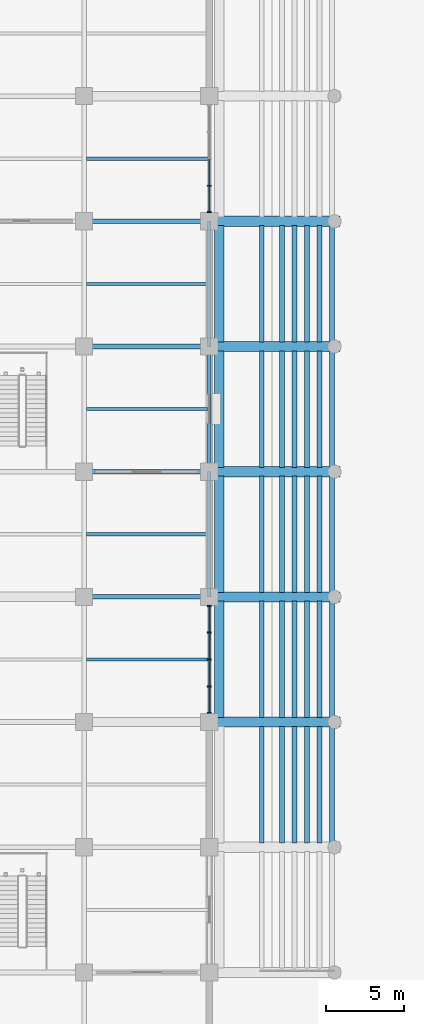
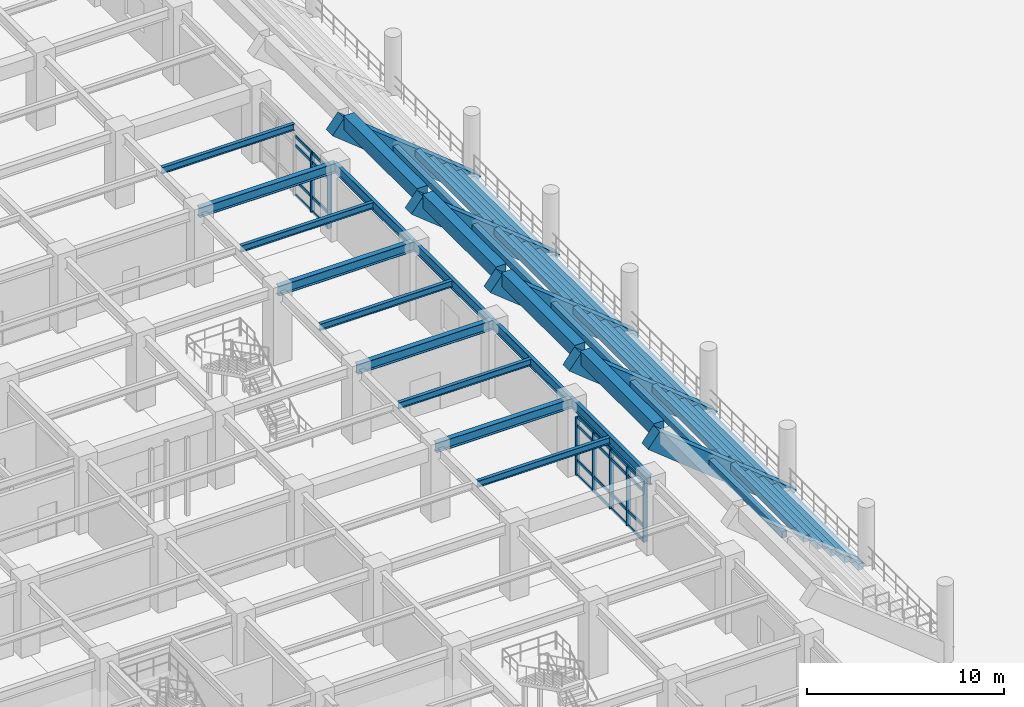
# One storey, part 28 of 125: 52 beams, 31 members, 2 elements without a shape of their own.
"""IFC4 building model written with IfcOpenShell, lengths in metres."""

from ifc_helpers import new_model, si_unit, direction, frame, origin, origin_2d, place, context, subcontext, project, spatial, rectangle, i_section, extrude, material, layer, layer_set, material_profile, profile_set, type_object, element, aggregate, save


model = new_model("IFC4")

# Units and contexts
model_context = context("Model", 3, precision=1e-05, world=origin(), true_north=direction((0.0, 1.0)))
body_context = subcontext(model_context, "Body", "Model", "MODEL_VIEW")
ifc_project = project(units=[si_unit("LENGTHUNIT", "METRE"), si_unit("AREAUNIT", "SQUARE_METRE"), si_unit("VOLUMEUNIT", "CUBIC_METRE"), si_unit("PLANEANGLEUNIT", "RADIAN"), si_unit("MASSUNIT", "GRAM", prefix="KILO")], contexts=[model_context])

# Site, building, storey
site_placement = place(None, origin())
site = spatial("IfcSite", under=ifc_project, at=site_placement, CompositionType="ELEMENT")
building_placement = place(site_placement, origin())
building = spatial("IfcBuilding", under=site, at=building_placement, Name="Haebicheon Civic Stadium", CompositionType="ELEMENT")
storey_placement = place(building_placement, origin())
storey = spatial("IfcBuildingStorey", under=building, at=storey_placement, Name="L01", CompositionType="ELEMENT", Elevation=0.0)

# Beams
ifc_material_1 = material(Name="Precast concrete C40/50", Category="concrete")
ifc_material_profile_1 = material_profile(ifc_material_1, rectangle(XDim=0.300048828125, YDim=0.39990234375, at=origin_2d()), Name="PC-LN-300x400")
ifc_profile_set_1 = profile_set([ifc_material_profile_1], Name="Precast concrete C40/50")
beam_type_1 = type_object("IfcBeamType", Name="BM-LN-300x400", PredefinedType="LINTEL", material=ifc_profile_set_1)
for number, where, z_axis, x_axis, name in (
    (1, (71.840087890625, 56.280029296875, 0.760009765625), (0.0, 1.0, 0.0), (-1.0, 0.0, 0.0), "TIER-W-L precast step carrier beam 2.1"),
    (2, (71.0400390625, 56.280029296875, 1.470947265625), (0.0, 1.0, 0.0), (-1.0, 0.0, 0.0), "TIER-W-L precast step carrier beam 2.2"),
    (3, (70.239990234375, 56.280029296875, 2.181884765625), (0.0, 1.0, 0.0), (-1.0, 0.0, 0.0), "TIER-W-L precast step carrier beam 2.3"),
    (4, (69.43994140625, 56.280029296875, 2.89306640625), (0.0, 1.0, 0.0), (-1.0, 0.0, 0.0), "TIER-W-L precast step carrier beam 2.4"),
    (5, (68.639892578125, 56.280029296875, 3.60400390625), (0.0, 1.0, 0.0), (-1.0, 0.0, 0.0), "TIER-W-L precast step carrier beam 2.5"),
    (6, (67.360107421875, 56.280029296875, 4.31591796875), (0.0, 1.0, 0.0), (-1.0, 0.0, 0.0), "TIER-W-L precast step carrier beam 2.6"),
    (7, (71.840087890625, 64.280029296875, 0.760009765625), (0.0, 1.0, 0.0), (-1.0, 0.0, 0.0), "TIER-W-L precast step carrier beam 3.1"),
    (8, (71.0400390625, 64.280029296875, 1.470947265625), (0.0, 1.0, 0.0), (-1.0, 0.0, 0.0), "TIER-W-L precast step carrier beam 3.2"),
    (9, (70.239990234375, 64.280029296875, 2.181884765625), (0.0, 1.0, 0.0), (-1.0, 0.0, 0.0), "TIER-W-L precast step carrier beam 3.3"),
    (10, (69.43994140625, 64.280029296875, 2.89306640625), (0.0, 1.0, 0.0), (-1.0, 0.0, 0.0), "TIER-W-L precast step carrier beam 3.4"),
    (11, (68.639892578125, 64.280029296875, 3.60400390625), (0.0, 1.0, 0.0), (-1.0, 0.0, 0.0), "TIER-W-L precast step carrier beam 3.5"),
    (12, (67.360107421875, 64.280029296875, 4.31591796875), (0.0, 1.0, 0.0), (-1.0, 0.0, 0.0), "TIER-W-L precast step carrier beam 3.6"),
    (13, (71.840087890625, 72.280029296875, 0.760009765625), (0.0, 1.0, 0.0), (-1.0, 0.0, 0.0), "TIER-W-L precast step carrier beam 4.1"),
    (14, (71.0400390625, 72.280029296875, 1.470947265625), (0.0, 1.0, 0.0), (-1.0, 0.0, 0.0), "TIER-W-L precast step carrier beam 4.2"),
    (15, (70.239990234375, 72.280029296875, 2.181884765625), (0.0, 1.0, 0.0), (-1.0, 0.0, 0.0), "TIER-W-L precast step carrier beam 4.3"),
    (16, (69.43994140625, 72.280029296875, 2.89306640625), (0.0, 1.0, 0.0), (-1.0, 0.0, 0.0), "TIER-W-L precast step carrier beam 4.4"),
    (17, (68.639892578125, 72.280029296875, 3.60400390625), (0.0, 1.0, 0.0), (-1.0, 0.0, 0.0), "TIER-W-L precast step carrier beam 4.5"),
    (18, (67.360107421875, 72.280029296875, 4.31591796875), (0.0, 1.0, 0.0), (-1.0, 0.0, 0.0), "TIER-W-L precast step carrier beam 4.6"),
    (19, (71.840087890625, 80.280029296875, 0.760009765625), (0.0, 1.0, 0.0), (-1.0, 0.0, 0.0), "TIER-W-L precast step carrier beam 5.1"),
    (20, (71.0400390625, 80.280029296875, 1.470947265625), (0.0, 1.0, 0.0), (-1.0, 0.0, 0.0), "TIER-W-L precast step carrier beam 5.2"),
    (21, (70.239990234375, 80.280029296875, 2.181884765625), (0.0, 1.0, 0.0), (-1.0, 0.0, 0.0), "TIER-W-L precast step carrier beam 5.3"),
    (22, (69.43994140625, 80.280029296875, 2.89306640625), (0.0, 1.0, 0.0), (-1.0, 0.0, 0.0), "TIER-W-L precast step carrier beam 5.4"),
    (23, (68.639892578125, 80.280029296875, 3.60400390625), (0.0, 1.0, 0.0), (-1.0, 0.0, 0.0), "TIER-W-L precast step carrier beam 5.5"),
    (24, (67.360107421875, 80.280029296875, 4.31591796875), (0.0, 1.0, 0.0), (-1.0, 0.0, 0.0), "TIER-W-L precast step carrier beam 5.6"),
    (25, (71.840087890625, 88.280029296875, 0.760009765625), (0.0, 1.0, 0.0), (-1.0, 0.0, 0.0), "TIER-W-L precast step carrier beam 6.1"),
    (26, (71.0400390625, 88.280029296875, 1.470947265625), (0.0, 1.0, 0.0), (-1.0, 0.0, 0.0), "TIER-W-L precast step carrier beam 6.2"),
    (27, (70.239990234375, 88.280029296875, 2.181884765625), (0.0, 1.0, 0.0), (-1.0, 0.0, 0.0), "TIER-W-L precast step carrier beam 6.3"),
    (28, (69.43994140625, 88.280029296875, 2.89306640625), (0.0, 1.0, 0.0), (-1.0, 0.0, 0.0), "TIER-W-L precast step carrier beam 6.4"),
    (29, (68.639892578125, 88.280029296875, 3.60400390625), (0.0, 1.0, 0.0), (-1.0, 0.0, 0.0), "TIER-W-L precast step carrier beam 6.5"),
    (30, (67.360107421875, 88.280029296875, 4.31591796875), (0.0, 1.0, 0.0), (-1.0, 0.0, 0.0), "TIER-W-L precast step carrier beam 6.6"),
):
    element("IfcBeam", number, at=place(storey_placement, frame(where, z_axis=z_axis, x_axis=x_axis)), inside=storey, type_object=beam_type_1, material=ifc_profile_set_1, Name=name, PredefinedType="LINTEL", context=body_context, shape_type="SweptSolid", body=[
        extrude(rectangle(XDim=0.300048828125, YDim=0.39990234375, at=origin_2d()), origin(), (0.0, 0.0, 1.0), 7.43994140625),
    ])
ifc_material_2 = material(Name="Steel SM355 (S355)", Category="steel")
ifc_material_profile_2 = material_profile(ifc_material_2, i_section(OverallWidth=0.300048828125, OverallDepth=0.60009765625, WebThickness=0.011962890625, FlangeThickness=0.02001953125, at=origin_2d()), Name="H-600x300x12x20")
ifc_profile_set_2 = profile_set([ifc_material_profile_2], Name="Steel SM355 (S355)")
beam_type_2 = type_object("IfcBeamType", Name="BM-ST-H600A", PredefinedType="BEAM", material=ifc_profile_set_2)
for number, where, z_axis, x_axis, name in (
    (31, (56.0, 72.0, 4.179931640625), (1.0, 0.0, 0.0), (0.0, 1.0, 0.0), "L01 beam K/8-9"),
    (32, (56.0, 80.0, 4.179931640625), (1.0, 0.0, 0.0), (0.0, 1.0, 0.0), "L01 beam L/8-9"),
    (33, (56.0, 88.0, 4.179931640625), (1.0, 0.0, 0.0), (0.0, 1.0, 0.0), "L01 beam M/8-9"),
    (34, (56.0, 96.0, 4.179931640625), (1.0, 0.0, 0.0), (0.0, 1.0, 0.0), "L01 beam N/8-9"),
):
    element("IfcBeam", number, at=place(storey_placement, frame(where, z_axis=z_axis, x_axis=x_axis)), inside=storey, type_object=beam_type_2, material=ifc_profile_set_2, Name=name, PredefinedType="BEAM", context=body_context, shape_type="SweptSolid", body=[
        extrude(i_section(OverallWidth=0.300048828125, OverallDepth=0.60009765625, WebThickness=0.011962890625, FlangeThickness=0.02001953125, at=origin_2d()), origin(), (0.0, 0.0, 1.0), 8.0),
    ])
ifc_material_3 = material(Name="Precast concrete C40/50", Category="concrete")
ifc_material_profile_3 = material_profile(ifc_material_3, rectangle(XDim=0.60009765625, YDim=0.85009765625, at=origin_2d()), Name="PC-TB-600x850")
ifc_profile_set_3 = profile_set([ifc_material_profile_3], Name="Precast concrete C40/50")
beam_type_3 = type_object("IfcBeamType", Name="BM-TB-600x850", PredefinedType="T_BEAM", material=ifc_profile_set_3)
for number, where, z_axis, x_axis, name in (
    (35, (64.639892578125, 64.280029296875, 6.93505859375), (0.0, 1.0, 0.0), (-1.0, 0.0, 0.0), "TIER-W-L upper tier bench carrier beam 3"),
    (36, (64.639892578125, 72.280029296875, 6.93505859375), (0.0, 1.0, 0.0), (-1.0, 0.0, 0.0), "TIER-W-L upper tier bench carrier beam 4"),
    (37, (64.639892578125, 80.280029296875, 6.93505859375), (0.0, 1.0, 0.0), (-1.0, 0.0, 0.0), "TIER-W-L upper tier bench carrier beam 5"),
    (38, (64.639892578125, 88.280029296875, 6.93505859375), (0.0, 1.0, 0.0), (-1.0, 0.0, 0.0), "TIER-W-L upper tier bench carrier beam 6"),
):
    element("IfcBeam", number, at=place(storey_placement, frame(where, z_axis=z_axis, x_axis=x_axis)), inside=storey, type_object=beam_type_3, material=ifc_profile_set_3, Name=name, PredefinedType="T_BEAM", context=body_context, shape_type="SweptSolid", body=[
        extrude(rectangle(XDim=0.60009765625, YDim=0.85009765625, at=origin_2d()), origin(), (0.0, 0.0, 1.0), 7.43994140625),
    ])

# Curtain wall, members
ifc_material_4 = material(Name="Anodised aluminium and laminated glass", Category="aluminium")
ifc_layer = layer(ifc_material_4, 0.179931640625, Name="Anodised aluminium and laminated glass")
ifc_layer_set = layer_set([ifc_layer], Name="Anodised aluminium and laminated glass")
curtain_wall_type = type_object("IfcCurtainWallType", Name="CW-6900x3620", PredefinedType="NOTDEFINED", material=ifc_layer_set)
curtain_wall_1_placement = place(storey_placement, origin())
curtain_wall_1 = element("IfcCurtainWall", 39, at=curtain_wall_1_placement, inside=storey, type_object=curtain_wall_type, material=ifc_layer_set, Name="L01 unitised curtain wall 006", PredefinedType="NOTDEFINED")
ifc_material_5 = material(Name="Anodised aluminium 6063-T6", Category="aluminium")
ifc_material_profile_4 = material_profile(ifc_material_5, rectangle(XDim=0.080078125, YDim=0.239990234375, at=origin_2d()), Name="ALU-MULL-80x240")
ifc_profile_set_4 = profile_set([ifc_material_profile_4], Name="Anodised aluminium 6063-T6")
member_type_1 = type_object("IfcMemberType", Name="CWM-240x80", PredefinedType="MULLION", material=ifc_profile_set_4)
member_1_placement = place(storey_placement, frame((64.0, 64.590087890625, 0.0), z_axis=(0.0, 0.0, 1.0), x_axis=(0.0, 1.0, 0.0)))
member_1 = element("IfcMember", 40, at=member_1_placement, type_object=member_type_1, material=ifc_profile_set_4, Name="CW-L01-006 vertical mullion 1", PredefinedType="MULLION", context=body_context, shape_type="SweptSolid", body=[
    extrude(rectangle(XDim=0.080078125, YDim=0.239990234375, at=origin_2d()), origin(), (0.0, 0.0, 1.0), 3.6201171875),
])
member_2_placement = place(storey_placement, frame((64.0, 66.27490234375, 0.0), z_axis=(0.0, 0.0, 1.0), x_axis=(0.0, 1.0, 0.0)))
member_2 = element("IfcMember", 41, at=member_2_placement, type_object=member_type_1, material=ifc_profile_set_4, Name="CW-L01-006 vertical mullion 2", PredefinedType="MULLION", context=body_context, shape_type="SweptSolid", body=[
    extrude(rectangle(XDim=0.080078125, YDim=0.239990234375, at=origin_2d()), origin(), (0.0, 0.0, 1.0), 3.6201171875),
])
member_3_placement = place(storey_placement, frame((64.0, 68.0, 0.0), z_axis=(0.0, 0.0, 1.0), x_axis=(0.0, 1.0, 0.0)))
member_3 = element("IfcMember", 42, at=member_3_placement, type_object=member_type_1, material=ifc_profile_set_4, Name="CW-L01-006 vertical mullion 3", PredefinedType="MULLION", context=body_context, shape_type="SweptSolid", body=[
    extrude(rectangle(XDim=0.080078125, YDim=0.239990234375, at=origin_2d()), origin(), (0.0, 0.0, 1.0), 3.6201171875),
])
member_4_placement = place(storey_placement, frame((64.0, 69.72509765625, 0.0), z_axis=(0.0, 0.0, 1.0), x_axis=(0.0, 1.0, 0.0)))
member_4 = element("IfcMember", 43, at=member_4_placement, type_object=member_type_1, material=ifc_profile_set_4, Name="CW-L01-006 vertical mullion 4", PredefinedType="MULLION", context=body_context, shape_type="SweptSolid", body=[
    extrude(rectangle(XDim=0.080078125, YDim=0.239990234375, at=origin_2d()), origin(), (0.0, 0.0, 1.0), 3.6201171875),
])
member_5_placement = place(storey_placement, frame((64.0, 71.409912109375, 0.0), z_axis=(0.0, 0.0, 1.0), x_axis=(0.0, 1.0, 0.0)))
member_5 = element("IfcMember", 44, at=member_5_placement, type_object=member_type_1, material=ifc_profile_set_4, Name="CW-L01-006 vertical mullion 5", PredefinedType="MULLION", context=body_context, shape_type="SweptSolid", body=[
    extrude(rectangle(XDim=0.080078125, YDim=0.239990234375, at=origin_2d()), origin(), (0.0, 0.0, 1.0), 3.6201171875),
])

curtain_wall_2_placement = place(storey_placement, origin())
curtain_wall_2 = element("IfcCurtainWall", 45, at=curtain_wall_2_placement, inside=storey, type_object=curtain_wall_type, material=ifc_layer_set, Name="L01 unitised curtain wall 007", PredefinedType="NOTDEFINED")
member_6_placement = place(storey_placement, frame((64.0, 96.590087890625, 0.0), z_axis=(0.0, 0.0, 1.0), x_axis=(0.0, 1.0, 0.0)))
member_6 = element("IfcMember", 46, at=member_6_placement, type_object=member_type_1, material=ifc_profile_set_4, Name="CW-L01-007 vertical mullion 1", PredefinedType="MULLION", context=body_context, shape_type="SweptSolid", body=[
    extrude(rectangle(XDim=0.080078125, YDim=0.239990234375, at=origin_2d()), origin(), (0.0, 0.0, 1.0), 3.6201171875),
])
member_7_placement = place(storey_placement, frame((64.0, 98.27490234375, 0.0), z_axis=(0.0, 0.0, 1.0), x_axis=(0.0, 1.0, 0.0)))
member_7 = element("IfcMember", 47, at=member_7_placement, type_object=member_type_1, material=ifc_profile_set_4, Name="CW-L01-007 vertical mullion 2", PredefinedType="MULLION", context=body_context, shape_type="SweptSolid", body=[
    extrude(rectangle(XDim=0.080078125, YDim=0.239990234375, at=origin_2d()), origin(), (0.0, 0.0, 1.0), 3.6201171875),
])

# Member
ifc_material_6 = material(Name="Anodised aluminium 6063-T6", Category="aluminium")
ifc_material_profile_5 = material_profile(ifc_material_6, rectangle(XDim=0.080078125, YDim=0.179931640625, at=origin_2d()), Name="ALU-TRAN-80x180")
ifc_profile_set_5 = profile_set([ifc_material_profile_5], Name="Anodised aluminium 6063-T6")
member_type_2 = type_object("IfcMemberType", Name="CWT-180x80", PredefinedType="NOTDEFINED", material=ifc_profile_set_5)
member_8_placement = place(storey_placement, frame((64.0, 64.6298828125, 0.0), z_axis=(0.0, 1.0, 0.0), x_axis=(-1.0, 0.0, 0.0)))
member_8 = element("IfcMember", 48, at=member_8_placement, type_object=member_type_2, material=ifc_profile_set_5, Name="CW-L01-006 horizontal transom 1.1", ObjectType="TRANSOM", PredefinedType="USERDEFINED", context=body_context, shape_type="SweptSolid", body=[
    extrude(rectangle(XDim=0.080078125, YDim=0.179931640625, at=origin_2d()), origin(), (0.0, 0.0, 1.0), 1.605224609375),
])

member_9_placement = place(storey_placement, frame((64.0, 64.6298828125, 0.89990234375), z_axis=(0.0, 1.0, 0.0), x_axis=(-1.0, 0.0, 0.0)))
member_9 = element("IfcMember", 49, at=member_9_placement, type_object=member_type_2, material=ifc_profile_set_5, Name="CW-L01-006 horizontal transom 1.2", ObjectType="TRANSOM", PredefinedType="USERDEFINED", context=body_context, shape_type="SweptSolid", body=[
    extrude(rectangle(XDim=0.080078125, YDim=0.179931640625, at=origin_2d()), origin(), (0.0, 0.0, 1.0), 1.605224609375),
])

member_10_placement = place(storey_placement, frame((64.0, 64.6298828125, 3.070068359375), z_axis=(0.0, 1.0, 0.0), x_axis=(-1.0, 0.0, 0.0)))
member_10 = element("IfcMember", 50, at=member_10_placement, type_object=member_type_2, material=ifc_profile_set_5, Name="CW-L01-006 horizontal transom 1.3", ObjectType="TRANSOM", PredefinedType="USERDEFINED", context=body_context, shape_type="SweptSolid", body=[
    extrude(rectangle(XDim=0.080078125, YDim=0.179931640625, at=origin_2d()), origin(), (0.0, 0.0, 1.0), 1.605224609375),
])

member_11_placement = place(storey_placement, frame((64.0, 64.6298828125, 3.6201171875), z_axis=(0.0, 1.0, 0.0), x_axis=(-1.0, 0.0, 0.0)))
member_11 = element("IfcMember", 51, at=member_11_placement, type_object=member_type_2, material=ifc_profile_set_5, Name="CW-L01-006 horizontal transom 1.4", ObjectType="TRANSOM", PredefinedType="USERDEFINED", context=body_context, shape_type="SweptSolid", body=[
    extrude(rectangle(XDim=0.080078125, YDim=0.179931640625, at=origin_2d()), origin(), (0.0, 0.0, 1.0), 1.605224609375),
])

member_12_placement = place(storey_placement, frame((64.0, 66.31494140625, 0.0), z_axis=(0.0, 1.0, 0.0), x_axis=(-1.0, 0.0, 0.0)))
member_12 = element("IfcMember", 52, at=member_12_placement, type_object=member_type_2, material=ifc_profile_set_5, Name="CW-L01-006 horizontal transom 2.1", ObjectType="TRANSOM", PredefinedType="USERDEFINED", context=body_context, shape_type="SweptSolid", body=[
    extrude(rectangle(XDim=0.080078125, YDim=0.179931640625, at=origin_2d()), origin(), (0.0, 0.0, 1.0), 1.64501953125),
])

member_13_placement = place(storey_placement, frame((64.0, 66.31494140625, 0.89990234375), z_axis=(0.0, 1.0, 0.0), x_axis=(-1.0, 0.0, 0.0)))
member_13 = element("IfcMember", 53, at=member_13_placement, type_object=member_type_2, material=ifc_profile_set_5, Name="CW-L01-006 horizontal transom 2.2", ObjectType="TRANSOM", PredefinedType="USERDEFINED", context=body_context, shape_type="SweptSolid", body=[
    extrude(rectangle(XDim=0.080078125, YDim=0.179931640625, at=origin_2d()), origin(), (0.0, 0.0, 1.0), 1.64501953125),
])

member_14_placement = place(storey_placement, frame((64.0, 66.31494140625, 3.070068359375), z_axis=(0.0, 1.0, 0.0), x_axis=(-1.0, 0.0, 0.0)))
member_14 = element("IfcMember", 54, at=member_14_placement, type_object=member_type_2, material=ifc_profile_set_5, Name="CW-L01-006 horizontal transom 2.3", ObjectType="TRANSOM", PredefinedType="USERDEFINED", context=body_context, shape_type="SweptSolid", body=[
    extrude(rectangle(XDim=0.080078125, YDim=0.179931640625, at=origin_2d()), origin(), (0.0, 0.0, 1.0), 1.64501953125),
])

member_15_placement = place(storey_placement, frame((64.0, 66.31494140625, 3.6201171875), z_axis=(0.0, 1.0, 0.0), x_axis=(-1.0, 0.0, 0.0)))
member_15 = element("IfcMember", 55, at=member_15_placement, type_object=member_type_2, material=ifc_profile_set_5, Name="CW-L01-006 horizontal transom 2.4", ObjectType="TRANSOM", PredefinedType="USERDEFINED", context=body_context, shape_type="SweptSolid", body=[
    extrude(rectangle(XDim=0.080078125, YDim=0.179931640625, at=origin_2d()), origin(), (0.0, 0.0, 1.0), 1.64501953125),
])

member_16_placement = place(storey_placement, frame((64.0, 68.0400390625, 0.0), z_axis=(0.0, 1.0, 0.0), x_axis=(-1.0, 0.0, 0.0)))
member_16 = element("IfcMember", 56, at=member_16_placement, type_object=member_type_2, material=ifc_profile_set_5, Name="CW-L01-006 horizontal transom 3.1", ObjectType="TRANSOM", PredefinedType="USERDEFINED", context=body_context, shape_type="SweptSolid", body=[
    extrude(rectangle(XDim=0.080078125, YDim=0.179931640625, at=origin_2d()), origin(), (0.0, 0.0, 1.0), 1.64501953125),
])

member_17_placement = place(storey_placement, frame((64.0, 68.0400390625, 0.89990234375), z_axis=(0.0, 1.0, 0.0), x_axis=(-1.0, 0.0, 0.0)))
member_17 = element("IfcMember", 57, at=member_17_placement, type_object=member_type_2, material=ifc_profile_set_5, Name="CW-L01-006 horizontal transom 3.2", ObjectType="TRANSOM", PredefinedType="USERDEFINED", context=body_context, shape_type="SweptSolid", body=[
    extrude(rectangle(XDim=0.080078125, YDim=0.179931640625, at=origin_2d()), origin(), (0.0, 0.0, 1.0), 1.64501953125),
])

member_18_placement = place(storey_placement, frame((64.0, 68.0400390625, 3.070068359375), z_axis=(0.0, 1.0, 0.0), x_axis=(-1.0, 0.0, 0.0)))
member_18 = element("IfcMember", 58, at=member_18_placement, type_object=member_type_2, material=ifc_profile_set_5, Name="CW-L01-006 horizontal transom 3.3", ObjectType="TRANSOM", PredefinedType="USERDEFINED", context=body_context, shape_type="SweptSolid", body=[
    extrude(rectangle(XDim=0.080078125, YDim=0.179931640625, at=origin_2d()), origin(), (0.0, 0.0, 1.0), 1.64501953125),
])

member_19_placement = place(storey_placement, frame((64.0, 68.0400390625, 3.6201171875), z_axis=(0.0, 1.0, 0.0), x_axis=(-1.0, 0.0, 0.0)))
member_19 = element("IfcMember", 59, at=member_19_placement, type_object=member_type_2, material=ifc_profile_set_5, Name="CW-L01-006 horizontal transom 3.4", ObjectType="TRANSOM", PredefinedType="USERDEFINED", context=body_context, shape_type="SweptSolid", body=[
    extrude(rectangle(XDim=0.080078125, YDim=0.179931640625, at=origin_2d()), origin(), (0.0, 0.0, 1.0), 1.64501953125),
])

member_20_placement = place(storey_placement, frame((64.0, 69.764892578125, 0.0), z_axis=(0.0, 1.0, 0.0), x_axis=(-1.0, 0.0, 0.0)))
member_20 = element("IfcMember", 60, at=member_20_placement, type_object=member_type_2, material=ifc_profile_set_5, Name="CW-L01-006 horizontal transom 4.1", ObjectType="TRANSOM", PredefinedType="USERDEFINED", context=body_context, shape_type="SweptSolid", body=[
    extrude(rectangle(XDim=0.080078125, YDim=0.179931640625, at=origin_2d()), origin(), (0.0, 0.0, 1.0), 1.605224609375),
])

member_21_placement = place(storey_placement, frame((64.0, 69.764892578125, 0.89990234375), z_axis=(0.0, 1.0, 0.0), x_axis=(-1.0, 0.0, 0.0)))
member_21 = element("IfcMember", 61, at=member_21_placement, type_object=member_type_2, material=ifc_profile_set_5, Name="CW-L01-006 horizontal transom 4.2", ObjectType="TRANSOM", PredefinedType="USERDEFINED", context=body_context, shape_type="SweptSolid", body=[
    extrude(rectangle(XDim=0.080078125, YDim=0.179931640625, at=origin_2d()), origin(), (0.0, 0.0, 1.0), 1.605224609375),
])

member_22_placement = place(storey_placement, frame((64.0, 69.764892578125, 3.070068359375), z_axis=(0.0, 1.0, 0.0), x_axis=(-1.0, 0.0, 0.0)))
member_22 = element("IfcMember", 62, at=member_22_placement, type_object=member_type_2, material=ifc_profile_set_5, Name="CW-L01-006 horizontal transom 4.3", ObjectType="TRANSOM", PredefinedType="USERDEFINED", context=body_context, shape_type="SweptSolid", body=[
    extrude(rectangle(XDim=0.080078125, YDim=0.179931640625, at=origin_2d()), origin(), (0.0, 0.0, 1.0), 1.605224609375),
])

member_23_placement = place(storey_placement, frame((64.0, 69.764892578125, 3.6201171875), z_axis=(0.0, 1.0, 0.0), x_axis=(-1.0, 0.0, 0.0)))
member_23 = element("IfcMember", 63, at=member_23_placement, type_object=member_type_2, material=ifc_profile_set_5, Name="CW-L01-006 horizontal transom 4.4", ObjectType="TRANSOM", PredefinedType="USERDEFINED", context=body_context, shape_type="SweptSolid", body=[
    extrude(rectangle(XDim=0.080078125, YDim=0.179931640625, at=origin_2d()), origin(), (0.0, 0.0, 1.0), 1.605224609375),
])

aggregate(curtain_wall_1, [member_1, member_2, member_3, member_4, member_5, member_8, member_9, member_10, member_11, member_12, member_13, member_14, member_15, member_16, member_17, member_18, member_19, member_20, member_21, member_22, member_23])

member_24_placement = place(storey_placement, frame((64.0, 96.6298828125, 0.0), z_axis=(0.0, 1.0, 0.0), x_axis=(-1.0, 0.0, 0.0)))
member_24 = element("IfcMember", 64, at=member_24_placement, type_object=member_type_2, material=ifc_profile_set_5, Name="CW-L01-007 horizontal transom 1.1", ObjectType="TRANSOM", PredefinedType="USERDEFINED", context=body_context, shape_type="SweptSolid", body=[
    extrude(rectangle(XDim=0.080078125, YDim=0.179931640625, at=origin_2d()), origin(), (0.0, 0.0, 1.0), 1.605224609375),
])

member_25_placement = place(storey_placement, frame((64.0, 96.6298828125, 0.89990234375), z_axis=(0.0, 1.0, 0.0), x_axis=(-1.0, 0.0, 0.0)))
member_25 = element("IfcMember", 65, at=member_25_placement, type_object=member_type_2, material=ifc_profile_set_5, Name="CW-L01-007 horizontal transom 1.2", ObjectType="TRANSOM", PredefinedType="USERDEFINED", context=body_context, shape_type="SweptSolid", body=[
    extrude(rectangle(XDim=0.080078125, YDim=0.179931640625, at=origin_2d()), origin(), (0.0, 0.0, 1.0), 1.605224609375),
])

member_26_placement = place(storey_placement, frame((64.0, 96.6298828125, 3.070068359375), z_axis=(0.0, 1.0, 0.0), x_axis=(-1.0, 0.0, 0.0)))
member_26 = element("IfcMember", 66, at=member_26_placement, type_object=member_type_2, material=ifc_profile_set_5, Name="CW-L01-007 horizontal transom 1.3", ObjectType="TRANSOM", PredefinedType="USERDEFINED", context=body_context, shape_type="SweptSolid", body=[
    extrude(rectangle(XDim=0.080078125, YDim=0.179931640625, at=origin_2d()), origin(), (0.0, 0.0, 1.0), 1.605224609375),
])

member_27_placement = place(storey_placement, frame((64.0, 96.6298828125, 3.6201171875), z_axis=(0.0, 1.0, 0.0), x_axis=(-1.0, 0.0, 0.0)))
member_27 = element("IfcMember", 67, at=member_27_placement, type_object=member_type_2, material=ifc_profile_set_5, Name="CW-L01-007 horizontal transom 1.4", ObjectType="TRANSOM", PredefinedType="USERDEFINED", context=body_context, shape_type="SweptSolid", body=[
    extrude(rectangle(XDim=0.080078125, YDim=0.179931640625, at=origin_2d()), origin(), (0.0, 0.0, 1.0), 1.605224609375),
])

member_28_placement = place(storey_placement, frame((64.0, 98.31494140625, 0.0), z_axis=(0.0, 1.0, 0.0), x_axis=(-1.0, 0.0, 0.0)))
member_28 = element("IfcMember", 68, at=member_28_placement, type_object=member_type_2, material=ifc_profile_set_5, Name="CW-L01-007 horizontal transom 2.1", ObjectType="TRANSOM", PredefinedType="USERDEFINED", context=body_context, shape_type="SweptSolid", body=[
    extrude(rectangle(XDim=0.080078125, YDim=0.179931640625, at=origin_2d()), origin(), (0.0, 0.0, 1.0), 1.64501953125),
])

member_29_placement = place(storey_placement, frame((64.0, 98.31494140625, 0.89990234375), z_axis=(0.0, 1.0, 0.0), x_axis=(-1.0, 0.0, 0.0)))
member_29 = element("IfcMember", 69, at=member_29_placement, type_object=member_type_2, material=ifc_profile_set_5, Name="CW-L01-007 horizontal transom 2.2", ObjectType="TRANSOM", PredefinedType="USERDEFINED", context=body_context, shape_type="SweptSolid", body=[
    extrude(rectangle(XDim=0.080078125, YDim=0.179931640625, at=origin_2d()), origin(), (0.0, 0.0, 1.0), 1.64501953125),
])

member_30_placement = place(storey_placement, frame((64.0, 98.31494140625, 3.070068359375), z_axis=(0.0, 1.0, 0.0), x_axis=(-1.0, 0.0, 0.0)))
member_30 = element("IfcMember", 70, at=member_30_placement, type_object=member_type_2, material=ifc_profile_set_5, Name="CW-L01-007 horizontal transom 2.3", ObjectType="TRANSOM", PredefinedType="USERDEFINED", context=body_context, shape_type="SweptSolid", body=[
    extrude(rectangle(XDim=0.080078125, YDim=0.179931640625, at=origin_2d()), origin(), (0.0, 0.0, 1.0), 1.64501953125),
])

member_31_placement = place(storey_placement, frame((64.0, 98.31494140625, 3.6201171875), z_axis=(0.0, 1.0, 0.0), x_axis=(-1.0, 0.0, 0.0)))
member_31 = element("IfcMember", 71, at=member_31_placement, type_object=member_type_2, material=ifc_profile_set_5, Name="CW-L01-007 horizontal transom 2.4", ObjectType="TRANSOM", PredefinedType="USERDEFINED", context=body_context, shape_type="SweptSolid", body=[
    extrude(rectangle(XDim=0.080078125, YDim=0.179931640625, at=origin_2d()), origin(), (0.0, 0.0, 1.0), 1.64501953125),
])

aggregate(curtain_wall_2, [member_6, member_7, member_24, member_25, member_26, member_27, member_28, member_29, member_30, member_31])

# Beams
ifc_material_7 = material(Name="Steel SM355 (S355)", Category="steel")
ifc_material_profile_6 = material_profile(ifc_material_7, i_section(OverallWidth=0.199951171875, OverallDepth=0.39990234375, WebThickness=0.008056640625, FlangeThickness=0.012939453125, at=origin_2d()), Name="H-400x200x8x13")
ifc_profile_set_6 = profile_set([ifc_material_profile_6], Name="Steel SM355 (S355)")
beam_type_4 = type_object("IfcBeamType", Name="JST-ST-H400", PredefinedType="JOIST", material=ifc_profile_set_6)
for number, where, z_axis, x_axis, name in (
    (72, (56.14990234375, 68.0, 4.280029296875), (1.0, 0.0, 0.0), (0.0, 1.0, 0.0), "L01 secondary joist 07-08"),
    (73, (56.14990234375, 76.0, 4.280029296875), (1.0, 0.0, 0.0), (0.0, 1.0, 0.0), "L01 secondary joist 07-09"),
    (74, (56.14990234375, 84.0, 4.280029296875), (1.0, 0.0, 0.0), (0.0, 1.0, 0.0), "L01 secondary joist 07-10"),
    (75, (56.14990234375, 92.0, 4.280029296875), (1.0, 0.0, 0.0), (0.0, 1.0, 0.0), "L01 secondary joist 07-11"),
    (76, (56.14990234375, 100.0, 4.280029296875), (1.0, 0.0, 0.0), (0.0, 1.0, 0.0), "L01 secondary joist 07-12"),
):
    element("IfcBeam", number, at=place(storey_placement, frame(where, z_axis=z_axis, x_axis=x_axis)), inside=storey, type_object=beam_type_4, material=ifc_profile_set_6, Name=name, PredefinedType="JOIST", context=body_context, shape_type="SweptSolid", body=[
        extrude(i_section(OverallWidth=0.199951171875, OverallDepth=0.39990234375, WebThickness=0.008056640625, FlangeThickness=0.012939453125, at=origin_2d()), origin(), (0.0, 0.0, 1.0), 7.75),
    ])
ifc_material_8 = material(Name="Precast concrete C40/50", Category="concrete")
ifc_material_profile_7 = material_profile(ifc_material_8, rectangle(XDim=0.64990234375, YDim=1.10009765625, at=origin_2d()), Name="PC-RK-650x1100")
ifc_profile_set_7 = profile_set([ifc_material_profile_7], Name="Precast concrete C40/50")
beam_type_5 = type_object("IfcBeamType", Name="RK-PC-650x1100", PredefinedType="USERDEFINED", material=ifc_profile_set_7)
for number, where, z_axis, x_axis, name in (
    (77, (72.0, 64.0, 0.409912109375), (-0.780861834757, 0.0, 0.624703765813), (0.0, -1.0, 0.0), "TIER-W-L inclined precast raker beam 3"),
    (78, (72.0, 72.0, 0.409912109375), (-0.780861834757, 0.0, 0.624703765813), (0.0, -1.0, 0.0), "TIER-W-L inclined precast raker beam 4"),
    (79, (72.0, 80.0, 0.409912109375), (-0.780861834757, 0.0, 0.624703765813), (0.0, -1.0, 0.0), "TIER-W-L inclined precast raker beam 5"),
    (80, (72.0, 88.0, 0.409912109375), (-0.780861834757, 0.0, 0.624703765813), (0.0, -1.0, 0.0), "TIER-W-L inclined precast raker beam 6"),
    (81, (72.0, 96.0, 0.409912109375), (-0.780861834757, 0.0, 0.624703765813), (0.0, -1.0, 0.0), "TIER-W-L inclined precast raker beam 7"),
):
    element("IfcBeam", number, at=place(storey_placement, frame(where, z_axis=z_axis, x_axis=x_axis)), inside=storey, type_object=beam_type_5, material=ifc_profile_set_7, Name=name, ObjectType="RAKER BEAM", PredefinedType="USERDEFINED", context=body_context, shape_type="SweptSolid", body=[
        extrude(rectangle(XDim=0.64990234375, YDim=1.10009765625, at=origin_2d()), origin(), (0.0, 0.0, 1.0), 10.2451171875),
    ])
ifc_material_9 = material(Name="Steel SM355 (S355)", Category="steel")
ifc_material_profile_8 = material_profile(ifc_material_9, i_section(OverallWidth=0.199951171875, OverallDepth=0.60009765625, WebThickness=0.010986328125, FlangeThickness=0.01708984375, at=origin_2d()), Name="H-600x200x11x17")
ifc_profile_set_8 = profile_set([ifc_material_profile_8], Name="Steel SM355 (S355)")
beam_type_6 = type_object("IfcBeamType", Name="SPD-ST-H600B", PredefinedType="SPANDREL", material=ifc_profile_set_8)
for number, where, z_axis, x_axis, name in (
    (82, (64.0, 64.0, 4.179931640625), (0.0, 1.0, 0.0), (-1.0, 0.0, 0.0), "L01 girder 9/J-K"),
    (83, (64.0, 72.0, 4.179931640625), (0.0, 1.0, 0.0), (-1.0, 0.0, 0.0), "L01 girder 9/K-L"),
    (84, (64.0, 80.0, 4.179931640625), (0.0, 1.0, 0.0), (-1.0, 0.0, 0.0), "L01 girder 9/L-M"),
    (85, (64.0, 88.0, 4.179931640625), (0.0, 1.0, 0.0), (-1.0, 0.0, 0.0), "L01 girder 9/M-N"),
):
    element("IfcBeam", number, at=place(storey_placement, frame(where, z_axis=z_axis, x_axis=x_axis)), inside=storey, type_object=beam_type_6, material=ifc_profile_set_8, Name=name, PredefinedType="SPANDREL", context=body_context, shape_type="SweptSolid", body=[
        extrude(i_section(OverallWidth=0.199951171875, OverallDepth=0.60009765625, WebThickness=0.010986328125, FlangeThickness=0.01708984375, at=origin_2d()), origin(), (0.0, 0.0, 1.0), 8.0),
    ])

save(model, "model.ifc")
